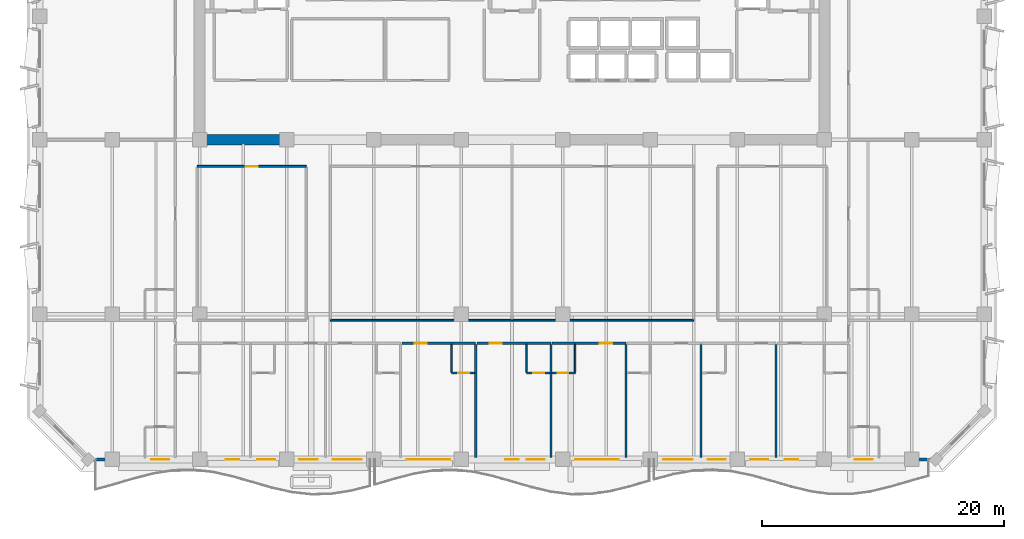
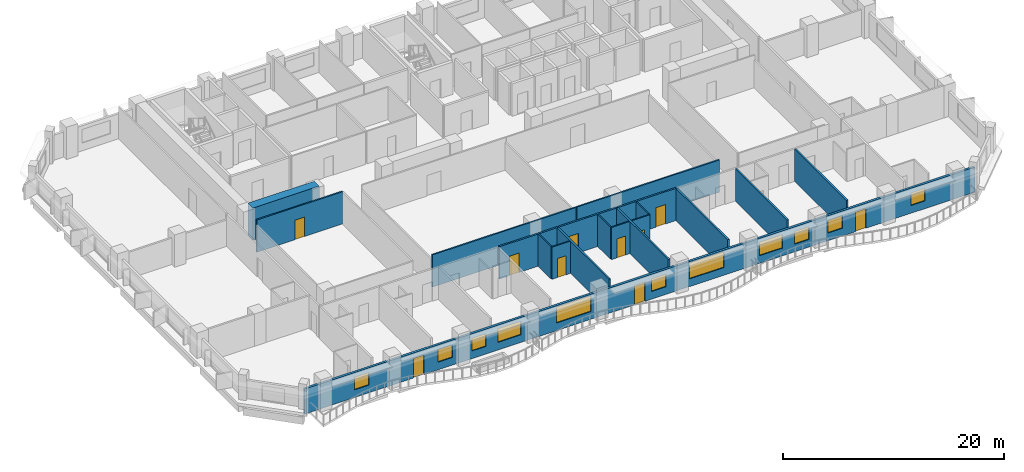
# One storey, part 5 of 15: 19 walls, 11 windows, 10 doors, 21 openings.
"""IFC4 building model written with IfcOpenShell, lengths in metres."""

from ifc_helpers import new_model, si_unit, direction, frame, frame_2d, origin, place, context, subcontext, project, spatial, rectangle, extrude, material, layer, layer_set, type_object, element, fill, save


model = new_model("IFC4")

# Units and contexts
model_context = context("Model", 3, precision=1e-05, world=origin(), true_north=direction((0.0, 1.0)))
body_context = subcontext(model_context, "Body", "Model", "MODEL_VIEW")
ifc_project = project(units=[si_unit("LENGTHUNIT", "METRE"), si_unit("AREAUNIT", "SQUARE_METRE"), si_unit("VOLUMEUNIT", "CUBIC_METRE"), si_unit("PLANEANGLEUNIT", "RADIAN"), si_unit("MASSUNIT", "GRAM", prefix="KILO")], contexts=[model_context])

# Site, building, storey
site_placement = place(None, origin())
site = spatial("IfcSite", under=ifc_project, at=site_placement, CompositionType="ELEMENT")
building_placement = place(site_placement, origin())
building = spatial("IfcBuilding", under=site, at=building_placement, Name="Kaelvorn Grand Hotel", CompositionType="ELEMENT")
storey_placement = place(building_placement, frame((0.0, 0.0, 158.14990234375)))
storey = spatial("IfcBuildingStorey", under=building, at=storey_placement, Name="L38", CompositionType="ELEMENT", Elevation=158.14990234375)

# Wall
ifc_material_1 = material(Name="Concrete C60/75", Category="concrete")
ifc_layer_1 = layer(ifc_material_1, 0.89990234375)
ifc_layer_set_1 = layer_set([ifc_layer_1], Name="Concrete C60/75")
wall_type_1 = type_object("IfcWallType", Name="WL-CORE-900-C60", PredefinedType="SHEAR", material=ifc_layer_set_1)
wall_1_placement = place(storey_placement, frame((16.655029296875, 29.39990234375, 0.0), z_axis=(0.0, 0.0, 1.0), x_axis=(1.0, 0.0, 0.0)))
element("IfcWall", 1, at=wall_1_placement, inside=storey, type_object=wall_type_1, Name="L38 Rear-Core Coupled Shear Pier S1", PredefinedType="SHEAR", context=body_context, shape_type="SweptSolid", body=[
    extrude(rectangle(XDim=6.945068359375, YDim=0.89990234375, at=frame_2d((3.47265625, 0.0))), origin(), (0.0, 0.0, 1.0), 3.56005859375),
])

# Wall, openings, doors, windows
ifc_material_2 = material(Name="Concrete C40/50", Category="concrete")
ifc_layer_2 = layer(ifc_material_2, 0.239990234375)
ifc_layer_set_2 = layer_set([ifc_layer_2], Name="Concrete C40/50")
wall_type_2 = type_object("IfcWallType", Name="WL-EXT-240-C40", PredefinedType="SOLIDWALL", material=ifc_layer_set_2)
wall_2_placement = place(storey_placement, frame((7.0, 3.0, 0.0), z_axis=(0.0, 0.0, 1.0), x_axis=(1.0, 0.0, 0.0)))
wall_2 = element("IfcWall", 2, at=wall_2_placement, inside=storey, type_object=wall_type_2, Name="L38 Exterior Architectural Concrete Wall 01", PredefinedType="SOLIDWALL", context=body_context, shape_type="SweptSolid", body=[
    extrude(rectangle(XDim=70.0, YDim=0.239990234375, at=frame_2d((35.0, 0.0))), origin(), (0.0, 0.0, 1.0), 2.760009765625),
])
opening_1_placement = place(wall_2_placement, frame((11.38330078125, 0.0, 0.0)))
opening_1 = element("IfcOpeningElement", 3, at=opening_1_placement, cuts=wall_2, Name="Opening DE2", PredefinedType="OPENING", context=body_context, shape_type="SweptSolid", body=[
    extrude(rectangle(XDim=1.10009765625, YDim=2.14990234375, at=frame_2d((0.550048828125, 1.074951171875))), frame((0.0, 0.1298828125, 0.0), z_axis=(0.0, -1.0, 0.0), x_axis=(1.0, 0.0, 0.0)), (0.0, 0.0, 1.0), 0.260009765625),
])
opening_2_placement = place(wall_2_placement, frame((34.449951171875, 0.0, 0.0)))
opening_2 = element("IfcOpeningElement", 4, at=opening_2_placement, cuts=wall_2, Name="Opening DE2", PredefinedType="OPENING", context=body_context, shape_type="SweptSolid", body=[
    extrude(rectangle(XDim=1.10009765625, YDim=2.14990234375, at=frame_2d((0.550048828125, 1.074951171875))), frame((0.0, 0.1298828125, 0.0), z_axis=(0.0, -1.0, 0.0), x_axis=(1.0, 0.0, 0.0)), (0.0, 0.0, 1.0), 0.260009765625),
])
opening_3_placement = place(wall_2_placement, frame((57.5166015625, 0.0, 0.0)))
opening_3 = element("IfcOpeningElement", 5, at=opening_3_placement, cuts=wall_2, Name="Opening DE2", PredefinedType="OPENING", context=body_context, shape_type="SweptSolid", body=[
    extrude(rectangle(XDim=1.10009765625, YDim=2.14990234375, at=frame_2d((0.550048828125, 1.074951171875))), frame((0.0, 0.1298828125, 0.0), z_axis=(0.0, -1.0, 0.0), x_axis=(1.0, 0.0, 0.0)), (0.0, 0.0, 1.0), 0.260009765625),
])
opening_4_placement = place(wall_2_placement, frame((5.199951171875, 0.0, 0.85009765625)))
opening_4 = element("IfcOpeningElement", 6, at=opening_4_placement, cuts=wall_2, Name="Opening W10", PredefinedType="OPENING", context=body_context, shape_type="SweptSolid", body=[
    extrude(rectangle(XDim=1.5, YDim=1.39990234375, at=frame_2d((0.75, 0.699951171875))), frame((0.0, 0.1298828125, 0.0), z_axis=(0.0, -1.0, 0.0), x_axis=(1.0, 0.0, 0.0)), (0.0, 0.0, 1.0), 0.260009765625),
])
opening_5_placement = place(wall_2_placement, frame((13.950439453125, 0.0, 0.85009765625)))
opening_5 = element("IfcOpeningElement", 7, at=opening_5_placement, cuts=wall_2, Name="Opening W10", PredefinedType="OPENING", context=body_context, shape_type="SweptSolid", body=[
    extrude(rectangle(XDim=1.5, YDim=1.39990234375, at=frame_2d((0.75, 0.699951171875))), frame((0.0, 0.1298828125, 0.0), z_axis=(0.0, -1.0, 0.0), x_axis=(1.0, 0.0, 0.0)), (0.0, 0.0, 1.0), 0.260009765625),
])
opening_6_placement = place(wall_2_placement, frame((17.451416015625, 0.0, 0.85009765625)))
opening_6 = element("IfcOpeningElement", 8, at=opening_6_placement, cuts=wall_2, Name="Opening W10", PredefinedType="OPENING", context=body_context, shape_type="SweptSolid", body=[
    extrude(rectangle(XDim=1.5, YDim=1.39990234375, at=frame_2d((0.75, 0.699951171875))), frame((0.0, 0.1298828125, 0.0), z_axis=(0.0, -1.0, 0.0), x_axis=(1.0, 0.0, 0.0)), (0.0, 0.0, 1.0), 0.260009765625),
])
opening_7_placement = place(wall_2_placement, frame((20.201416015625, 0.0, 0.85009765625)))
opening_7 = element("IfcOpeningElement", 9, at=opening_7_placement, cuts=wall_2, Name="Opening W6", PredefinedType="OPENING", context=body_context, shape_type="SweptSolid", body=[
    extrude(rectangle(XDim=2.39990234375, YDim=1.5, at=frame_2d((1.199951171875, 0.75))), frame((0.0, 0.1298828125, 0.0), z_axis=(0.0, -1.0, 0.0), x_axis=(1.0, 0.0, 0.0)), (0.0, 0.0, 1.0), 0.260009765625),
])
opening_8_placement = place(wall_2_placement, frame((26.302490234375, 0.0, 0.85009765625)))
opening_8 = element("IfcOpeningElement", 10, at=opening_8_placement, cuts=wall_2, Name="Opening W3", PredefinedType="OPENING", context=body_context, shape_type="SweptSolid", body=[
    extrude(rectangle(XDim=3.60009765625, YDim=1.75, at=frame_2d((1.800048828125, 0.875))), frame((0.0, 0.1298828125, 0.0), z_axis=(0.0, -1.0, 0.0), x_axis=(1.0, 0.0, 0.0)), (0.0, 0.0, 1.0), 0.260009765625),
])
opening_9_placement = place(wall_2_placement, frame((36.214111328125, 0.0, 0.85009765625)))
opening_9 = element("IfcOpeningElement", 11, at=opening_9_placement, cuts=wall_2, Name="Opening W10", PredefinedType="OPENING", context=body_context, shape_type="SweptSolid", body=[
    extrude(rectangle(XDim=1.5, YDim=1.39990234375, at=frame_2d((0.75, 0.699951171875))), frame((0.0, 0.1298828125, 0.0), z_axis=(0.0, -1.0, 0.0), x_axis=(1.0, 0.0, 0.0)), (0.0, 0.0, 1.0), 0.260009765625),
])
opening_10_placement = place(wall_2_placement, frame((40.20458984375, 0.0, 0.85009765625)))
opening_10 = element("IfcOpeningElement", 12, at=opening_10_placement, cuts=wall_2, Name="Opening W3", PredefinedType="OPENING", context=body_context, shape_type="SweptSolid", body=[
    extrude(rectangle(XDim=3.60009765625, YDim=1.75, at=frame_2d((1.800048828125, 0.875))), frame((0.0, 0.1298828125, 0.0), z_axis=(0.0, -1.0, 0.0), x_axis=(1.0, 0.0, 0.0)), (0.0, 0.0, 1.0), 0.260009765625),
])
opening_11_placement = place(wall_2_placement, frame((47.505615234375, 0.0, 0.85009765625)))
opening_11 = element("IfcOpeningElement", 13, at=opening_11_placement, cuts=wall_2, Name="Opening W6", PredefinedType="OPENING", context=body_context, shape_type="SweptSolid", body=[
    extrude(rectangle(XDim=2.39990234375, YDim=1.5, at=frame_2d((1.199951171875, 0.75))), frame((0.0, 0.1298828125, 0.0), z_axis=(0.0, -1.0, 0.0), x_axis=(1.0, 0.0, 0.0)), (0.0, 0.0, 1.0), 0.260009765625),
])
opening_12_placement = place(wall_2_placement, frame((51.155517578125, 0.0, 0.85009765625)))
opening_12 = element("IfcOpeningElement", 14, at=opening_12_placement, cuts=wall_2, Name="Opening W10", PredefinedType="OPENING", context=body_context, shape_type="SweptSolid", body=[
    extrude(rectangle(XDim=1.5, YDim=1.39990234375, at=frame_2d((0.75, 0.699951171875))), frame((0.0, 0.1298828125, 0.0), z_axis=(0.0, -1.0, 0.0), x_axis=(1.0, 0.0, 0.0)), (0.0, 0.0, 1.0), 0.260009765625),
])
opening_13_placement = place(wall_2_placement, frame((54.656005859375, 0.0, 0.85009765625)))
opening_13 = element("IfcOpeningElement", 15, at=opening_13_placement, cuts=wall_2, Name="Opening W10", PredefinedType="OPENING", context=body_context, shape_type="SweptSolid", body=[
    extrude(rectangle(XDim=1.5, YDim=1.39990234375, at=frame_2d((0.75, 0.699951171875))), frame((0.0, 0.1298828125, 0.0), z_axis=(0.0, -1.0, 0.0), x_axis=(1.0, 0.0, 0.0)), (0.0, 0.0, 1.0), 0.260009765625),
])
opening_14_placement = place(wall_2_placement, frame((63.300048828125, 0.0, 0.85009765625)))
opening_14 = element("IfcOpeningElement", 16, at=opening_14_placement, cuts=wall_2, Name="Opening W10", PredefinedType="OPENING", context=body_context, shape_type="SweptSolid", body=[
    extrude(rectangle(XDim=1.5, YDim=1.39990234375, at=frame_2d((0.75, 0.699951171875))), frame((0.0, 0.1298828125, 0.0), z_axis=(0.0, -1.0, 0.0), x_axis=(1.0, 0.0, 0.0)), (0.0, 0.0, 1.0), 0.260009765625),
])
ifc_material_3 = material(Name="Anodised Aluminium", Category="aluminium")
door_type_1 = type_object("IfcDoorType", Name="DR-EXT-BALC-1100x2150", OperationType="NOTDEFINED", PredefinedType="DOOR", material=ifc_material_3)
door_1_placement = place(opening_1_placement, origin())
door_1 = element("IfcDoor", 17, at=door_1_placement, inside=storey, type_object=door_type_1, Name="L38 Scalloped Balcony Glazed Door DE2-1", OperationType="SINGLE_SWING_RIGHT", OverallHeight=2.14990234375, OverallWidth=1.10009765625, PredefinedType="DOOR", context=body_context, shape_type="SweptSolid", body=[
    extrude(rectangle(XDim=1.10009765625, YDim=2.14990234375, at=frame_2d((0.550048828125, 1.074951171875))), frame((0.0, 0.02490234375, 0.0), z_axis=(0.0, -1.0, 0.0), x_axis=(1.0, 0.0, 0.0)), (0.0, 0.0, 1.0), 0.050048828125),
])
fill(opening_1, door_1)
door_2_placement = place(opening_2_placement, origin())
door_2 = element("IfcDoor", 18, at=door_2_placement, inside=storey, type_object=door_type_1, Name="L38 Scalloped Balcony Glazed Door DE2-2", OperationType="SINGLE_SWING_LEFT", OverallHeight=2.14990234375, OverallWidth=1.10009765625, PredefinedType="DOOR", context=body_context, shape_type="SweptSolid", body=[
    extrude(rectangle(XDim=1.10009765625, YDim=2.14990234375, at=frame_2d((0.550048828125, 1.074951171875))), frame((0.0, 0.02490234375, 0.0), z_axis=(0.0, -1.0, 0.0), x_axis=(1.0, 0.0, 0.0)), (0.0, 0.0, 1.0), 0.050048828125),
])
fill(opening_2, door_2)
door_3_placement = place(opening_3_placement, origin())
door_3 = element("IfcDoor", 19, at=door_3_placement, inside=storey, type_object=door_type_1, Name="L38 Scalloped Balcony Glazed Door DE2-3", OperationType="SINGLE_SWING_RIGHT", OverallHeight=2.14990234375, OverallWidth=1.10009765625, PredefinedType="DOOR", context=body_context, shape_type="SweptSolid", body=[
    extrude(rectangle(XDim=1.10009765625, YDim=2.14990234375, at=frame_2d((0.550048828125, 1.074951171875))), frame((0.0, 0.02490234375, 0.0), z_axis=(0.0, -1.0, 0.0), x_axis=(1.0, 0.0, 0.0)), (0.0, 0.0, 1.0), 0.050048828125),
])
fill(opening_3, door_3)
ifc_material_4 = material(Name="Laminated Low-E Glass", Category="glass")
window_type_1 = type_object("IfcWindowType", Name="WIN-COR-1500x1400", PartitioningType="SINGLE_PANEL", PredefinedType="WINDOW", material=ifc_material_4)
window_1_placement = place(opening_4_placement, origin())
window_1 = element("IfcWindow", 20, at=window_1_placement, inside=storey, type_object=window_type_1, Name="L38 South Guestroom Ribbon Window SR01", OverallHeight=1.39990234375, OverallWidth=1.5, PartitioningType="SINGLE_PANEL", PredefinedType="WINDOW", context=body_context, shape_type="SweptSolid", body=[
    extrude(rectangle(XDim=1.5, YDim=1.39990234375, at=frame_2d((0.75, 0.699951171875))), frame((0.0, 0.030029296875, 0.0), z_axis=(0.0, -1.0, 0.0), x_axis=(1.0, 0.0, 0.0)), (0.0, 0.0, 1.0), 0.06005859375),
])
fill(opening_4, window_1)
window_2_placement = place(opening_5_placement, origin())
window_2 = element("IfcWindow", 21, at=window_2_placement, inside=storey, type_object=window_type_1, Name="L38 South Guestroom Ribbon Window SR02", OverallHeight=1.39990234375, OverallWidth=1.5, PartitioningType="SINGLE_PANEL", PredefinedType="WINDOW", context=body_context, shape_type="SweptSolid", body=[
    extrude(rectangle(XDim=1.5, YDim=1.39990234375, at=frame_2d((0.75, 0.699951171875))), frame((0.0, 0.030029296875, 0.0), z_axis=(0.0, -1.0, 0.0), x_axis=(1.0, 0.0, 0.0)), (0.0, 0.0, 1.0), 0.06005859375),
])
fill(opening_5, window_2)
window_3_placement = place(opening_6_placement, origin())
window_3 = element("IfcWindow", 22, at=window_3_placement, inside=storey, type_object=window_type_1, Name="L38 South Guestroom Ribbon Window SR03", OverallHeight=1.39990234375, OverallWidth=1.5, PartitioningType="SINGLE_PANEL", PredefinedType="WINDOW", context=body_context, shape_type="SweptSolid", body=[
    extrude(rectangle(XDim=1.5, YDim=1.39990234375, at=frame_2d((0.75, 0.699951171875))), frame((0.0, 0.030029296875, 0.0), z_axis=(0.0, -1.0, 0.0), x_axis=(1.0, 0.0, 0.0)), (0.0, 0.0, 1.0), 0.06005859375),
])
fill(opening_6, window_3)
window_4_placement = place(opening_9_placement, origin())
window_4 = element("IfcWindow", 23, at=window_4_placement, inside=storey, type_object=window_type_1, Name="L38 South Guestroom Ribbon Window SR06", OverallHeight=1.39990234375, OverallWidth=1.5, PartitioningType="SINGLE_PANEL", PredefinedType="WINDOW", context=body_context, shape_type="SweptSolid", body=[
    extrude(rectangle(XDim=1.5, YDim=1.39990234375, at=frame_2d((0.75, 0.699951171875))), frame((0.0, 0.030029296875, 0.0), z_axis=(0.0, -1.0, 0.0), x_axis=(1.0, 0.0, 0.0)), (0.0, 0.0, 1.0), 0.06005859375),
])
fill(opening_9, window_4)
window_5_placement = place(opening_12_placement, origin())
window_5 = element("IfcWindow", 24, at=window_5_placement, inside=storey, type_object=window_type_1, Name="L38 South Guestroom Ribbon Window SR09", OverallHeight=1.39990234375, OverallWidth=1.5, PartitioningType="SINGLE_PANEL", PredefinedType="WINDOW", context=body_context, shape_type="SweptSolid", body=[
    extrude(rectangle(XDim=1.5, YDim=1.39990234375, at=frame_2d((0.75, 0.699951171875))), frame((0.0, 0.030029296875, 0.0), z_axis=(0.0, -1.0, 0.0), x_axis=(1.0, 0.0, 0.0)), (0.0, 0.0, 1.0), 0.06005859375),
])
fill(opening_12, window_5)
window_6_placement = place(opening_13_placement, origin())
window_6 = element("IfcWindow", 25, at=window_6_placement, inside=storey, type_object=window_type_1, Name="L38 South Guestroom Ribbon Window SR10", OverallHeight=1.39990234375, OverallWidth=1.5, PartitioningType="SINGLE_PANEL", PredefinedType="WINDOW", context=body_context, shape_type="SweptSolid", body=[
    extrude(rectangle(XDim=1.5, YDim=1.39990234375, at=frame_2d((0.75, 0.699951171875))), frame((0.0, 0.030029296875, 0.0), z_axis=(0.0, -1.0, 0.0), x_axis=(1.0, 0.0, 0.0)), (0.0, 0.0, 1.0), 0.06005859375),
])
fill(opening_13, window_6)
window_7_placement = place(opening_14_placement, origin())
window_7 = element("IfcWindow", 26, at=window_7_placement, inside=storey, type_object=window_type_1, Name="L38 South Guestroom Ribbon Window SR11", OverallHeight=1.39990234375, OverallWidth=1.5, PartitioningType="SINGLE_PANEL", PredefinedType="WINDOW", context=body_context, shape_type="SweptSolid", body=[
    extrude(rectangle(XDim=1.5, YDim=1.39990234375, at=frame_2d((0.75, 0.699951171875))), frame((0.0, 0.030029296875, 0.0), z_axis=(0.0, -1.0, 0.0), x_axis=(1.0, 0.0, 0.0)), (0.0, 0.0, 1.0), 0.06005859375),
])
fill(opening_14, window_7)
window_type_2 = type_object("IfcWindowType", Name="WIN-NTH-2400x1500", PartitioningType="SINGLE_PANEL", PredefinedType="WINDOW", material=ifc_material_4)
window_8_placement = place(opening_7_placement, origin())
window_8 = element("IfcWindow", 27, at=window_8_placement, inside=storey, type_object=window_type_2, Name="L38 South Guestroom Ribbon Window SR04", OverallHeight=1.5, OverallWidth=2.39990234375, PartitioningType="SINGLE_PANEL", PredefinedType="WINDOW", context=body_context, shape_type="SweptSolid", body=[
    extrude(rectangle(XDim=2.39990234375, YDim=1.5, at=frame_2d((1.199951171875, 0.75))), frame((0.0, 0.030029296875, 0.0), z_axis=(0.0, -1.0, 0.0), x_axis=(1.0, 0.0, 0.0)), (0.0, 0.0, 1.0), 0.06005859375),
])
fill(opening_7, window_8)
window_9_placement = place(opening_11_placement, origin())
window_9 = element("IfcWindow", 28, at=window_9_placement, inside=storey, type_object=window_type_2, Name="L38 South Guestroom Ribbon Window SR08", OverallHeight=1.5, OverallWidth=2.39990234375, PartitioningType="SINGLE_PANEL", PredefinedType="WINDOW", context=body_context, shape_type="SweptSolid", body=[
    extrude(rectangle(XDim=2.39990234375, YDim=1.5, at=frame_2d((1.199951171875, 0.75))), frame((0.0, 0.030029296875, 0.0), z_axis=(0.0, -1.0, 0.0), x_axis=(1.0, 0.0, 0.0)), (0.0, 0.0, 1.0), 0.06005859375),
])
fill(opening_11, window_9)
window_type_3 = type_object("IfcWindowType", Name="WIN-RIB-3600x1750", PartitioningType="SINGLE_PANEL", PredefinedType="WINDOW", material=ifc_material_4)
window_10_placement = place(opening_8_placement, origin())
window_10 = element("IfcWindow", 29, at=window_10_placement, inside=storey, type_object=window_type_3, Name="L38 South Guestroom Ribbon Window SR05", OverallHeight=1.75, OverallWidth=3.60009765625, PartitioningType="SINGLE_PANEL", PredefinedType="WINDOW", context=body_context, shape_type="SweptSolid", body=[
    extrude(rectangle(XDim=3.60009765625, YDim=1.75, at=frame_2d((1.800048828125, 0.875))), frame((0.0, 0.030029296875, 0.0), z_axis=(0.0, -1.0, 0.0), x_axis=(1.0, 0.0, 0.0)), (0.0, 0.0, 1.0), 0.06005859375),
])
fill(opening_8, window_10)
window_11_placement = place(opening_10_placement, origin())
window_11 = element("IfcWindow", 30, at=window_11_placement, inside=storey, type_object=window_type_3, Name="L38 South Guestroom Ribbon Window SR07", OverallHeight=1.75, OverallWidth=3.60009765625, PartitioningType="SINGLE_PANEL", PredefinedType="WINDOW", context=body_context, shape_type="SweptSolid", body=[
    extrude(rectangle(XDim=3.60009765625, YDim=1.75, at=frame_2d((1.800048828125, 0.875))), frame((0.0, 0.030029296875, 0.0), z_axis=(0.0, -1.0, 0.0), x_axis=(1.0, 0.0, 0.0)), (0.0, 0.0, 1.0), 0.06005859375),
])
fill(opening_10, window_11)

# Wall, opening, door
ifc_material_5 = material(Name="Moisture-Resistant Tile & Stud Board")
ifc_layer_3 = layer(ifc_material_5, 0.125)
ifc_layer_set_3 = layer_set([ifc_layer_3], Name="Moisture-Resistant Tile & Stud Board")
wall_type_3 = type_object("IfcWallType", Name="WL-PART-125-WET", PredefinedType="PARTITIONING", material=ifc_layer_set_3)
wall_3_placement = place(storey_placement, frame((37.006103515625, 10.139892578125, 0.0), z_axis=(0.0, 0.0, 1.0), x_axis=(1.0, 0.0, 0.0)))
wall_3 = element("IfcWall", 31, at=wall_3_placement, inside=storey, type_object=wall_type_3, Name="L38 En-suite Bathroom L38-04 S Partition", PredefinedType="PARTITIONING", context=body_context, shape_type="SweptSolid", body=[
    extrude(rectangle(XDim=1.905029296875, YDim=0.125, at=frame_2d((0.95263671875, 0.0))), origin(), (0.0, 0.0, 1.0), 3.56005859375),
])
opening_15_placement = place(wall_3_placement, frame((0.550048828125, 0.0, 0.0)))
opening_15 = element("IfcOpeningElement", 32, at=opening_15_placement, cuts=wall_3, Name="Opening DI4", PredefinedType="OPENING", context=body_context, shape_type="SweptSolid", body=[
    extrude(rectangle(XDim=0.89990234375, YDim=2.10009765625, at=frame_2d((0.449951171875, 1.050048828125))), frame((0.0, 0.072509765625, 0.0), z_axis=(0.0, -1.0, 0.0), x_axis=(1.0, 0.0, 0.0)), (0.0, 0.0, 1.0), 0.14501953125),
])
ifc_material_6 = material(Name="Timber Veneer Leaf", Category="wood")
door_type_2 = type_object("IfcDoorType", Name="DR-INT-BATH-900x2100", OperationType="NOTDEFINED", PredefinedType="DOOR", material=ifc_material_6)
door_4_placement = place(opening_15_placement, origin())
door_4 = element("IfcDoor", 33, at=door_4_placement, inside=storey, type_object=door_type_2, Name="L38 En-suite Bathroom L38-04 Door", OperationType="SINGLE_SWING_LEFT", OverallHeight=2.10009765625, OverallWidth=0.89990234375, PredefinedType="DOOR", context=body_context, shape_type="SweptSolid", body=[
    extrude(rectangle(XDim=0.89990234375, YDim=2.10009765625, at=frame_2d((0.449951171875, 1.050048828125))), frame((0.0, 0.02490234375, 0.0), z_axis=(0.0, -1.0, 0.0), x_axis=(1.0, 0.0, 0.0)), (0.0, 0.0, 1.0), 0.050048828125),
])
fill(opening_15, door_4)

# Wall
wall_4_placement = place(storey_placement, frame((37.006103515625, 10.20751953125, 0.0), z_axis=(0.0, 0.0, 1.0), x_axis=(0.0, 1.0, 0.0)))
element("IfcWall", 34, at=wall_4_placement, inside=storey, type_object=wall_type_3, Name="L38 En-suite Bathroom L38-04 W Partition", PredefinedType="PARTITIONING", context=body_context, shape_type="SweptSolid", body=[
    extrude(rectangle(XDim=2.29736328125, YDim=0.125, at=frame_2d((1.148681640625, 0.0))), origin(), (0.0, 0.0, 1.0), 3.56005859375),
])

# Wall, opening, door
wall_5_placement = place(storey_placement, frame((43.207763671875, 10.139892578125, 0.0), z_axis=(0.0, 0.0, 1.0), x_axis=(1.0, 0.0, 0.0)))
wall_5 = element("IfcWall", 35, at=wall_5_placement, inside=storey, type_object=wall_type_3, Name="L38 En-suite Bathroom L38-05 S Partition", PredefinedType="PARTITIONING", context=body_context, shape_type="SweptSolid", body=[
    extrude(rectangle(XDim=1.905029296875, YDim=0.125, at=frame_2d((0.95263671875, 0.0))), origin(), (0.0, 0.0, 1.0), 3.56005859375),
])
opening_16_placement = place(wall_5_placement, frame((0.550048828125, 0.0, 0.0)))
opening_16 = element("IfcOpeningElement", 36, at=opening_16_placement, cuts=wall_5, Name="Opening DI4", PredefinedType="OPENING", context=body_context, shape_type="SweptSolid", body=[
    extrude(rectangle(XDim=0.89990234375, YDim=2.10009765625, at=frame_2d((0.449951171875, 1.050048828125))), frame((0.0, 0.072509765625, 0.0), z_axis=(0.0, -1.0, 0.0), x_axis=(1.0, 0.0, 0.0)), (0.0, 0.0, 1.0), 0.14501953125),
])
door_5_placement = place(opening_16_placement, origin())
door_5 = element("IfcDoor", 37, at=door_5_placement, inside=storey, type_object=door_type_2, Name="L38 En-suite Bathroom L38-05 Door", OperationType="SINGLE_SWING_LEFT", OverallHeight=2.10009765625, OverallWidth=0.89990234375, PredefinedType="DOOR", context=body_context, shape_type="SweptSolid", body=[
    extrude(rectangle(XDim=0.89990234375, YDim=2.10009765625, at=frame_2d((0.449951171875, 1.050048828125))), frame((0.0, 0.02490234375, 0.0), z_axis=(0.0, -1.0, 0.0), x_axis=(1.0, 0.0, 0.0)), (0.0, 0.0, 1.0), 0.050048828125),
])
fill(opening_16, door_5)

# Wall
wall_6_placement = place(storey_placement, frame((43.207763671875, 10.20751953125, 0.0), z_axis=(0.0, 0.0, 1.0), x_axis=(0.0, 1.0, 0.0)))
element("IfcWall", 38, at=wall_6_placement, inside=storey, type_object=wall_type_3, Name="L38 En-suite Bathroom L38-05 W Partition", PredefinedType="PARTITIONING", context=body_context, shape_type="SweptSolid", body=[
    extrude(rectangle(XDim=2.29736328125, YDim=0.125, at=frame_2d((1.148681640625, 0.0))), origin(), (0.0, 0.0, 1.0), 3.56005859375),
])

# Wall, opening, door
wall_7_placement = place(storey_placement, frame((45.302734375, 10.139892578125, 0.0), z_axis=(0.0, 0.0, 1.0), x_axis=(1.0, 0.0, 0.0)))
wall_7 = element("IfcWall", 39, at=wall_7_placement, inside=storey, type_object=wall_type_3, Name="L38 En-suite Bathroom L38-06 S Partition", PredefinedType="PARTITIONING", context=body_context, shape_type="SweptSolid", body=[
    extrude(rectangle(XDim=1.905029296875, YDim=0.125, at=frame_2d((0.95263671875, 0.0))), origin(), (0.0, 0.0, 1.0), 3.56005859375),
])
opening_17_placement = place(wall_7_placement, frame((0.455078125, 0.0, 0.0)))
opening_17 = element("IfcOpeningElement", 40, at=opening_17_placement, cuts=wall_7, Name="Opening DI4", PredefinedType="OPENING", context=body_context, shape_type="SweptSolid", body=[
    extrude(rectangle(XDim=0.89990234375, YDim=2.10009765625, at=frame_2d((0.449951171875, 1.050048828125))), frame((0.0, 0.072509765625, 0.0), z_axis=(0.0, -1.0, 0.0), x_axis=(1.0, 0.0, 0.0)), (0.0, 0.0, 1.0), 0.14501953125),
])
door_6_placement = place(opening_17_placement, origin())
door_6 = element("IfcDoor", 41, at=door_6_placement, inside=storey, type_object=door_type_2, Name="L38 En-suite Bathroom L38-06 Door", OperationType="SINGLE_SWING_LEFT", OverallHeight=2.10009765625, OverallWidth=0.89990234375, PredefinedType="DOOR", context=body_context, shape_type="SweptSolid", body=[
    extrude(rectangle(XDim=0.89990234375, YDim=2.10009765625, at=frame_2d((0.449951171875, 1.050048828125))), frame((0.0, 0.02490234375, 0.0), z_axis=(0.0, -1.0, 0.0), x_axis=(1.0, 0.0, 0.0)), (0.0, 0.0, 1.0), 0.050048828125),
])
fill(opening_17, door_6)

# Wall
wall_8_placement = place(storey_placement, frame((47.207763671875, 10.20751953125, 0.0), z_axis=(0.0, 0.0, 1.0), x_axis=(0.0, 1.0, 0.0)))
element("IfcWall", 42, at=wall_8_placement, inside=storey, type_object=wall_type_3, Name="L38 En-suite Bathroom L38-06 E Partition", PredefinedType="PARTITIONING", context=body_context, shape_type="SweptSolid", body=[
    extrude(rectangle(XDim=2.29736328125, YDim=0.125, at=frame_2d((1.148681640625, 0.0))), origin(), (0.0, 0.0, 1.0), 3.56005859375),
])

# Wall, opening, door
ifc_material_7 = material(Name="Acoustic Gypsum & Stud Partition")
ifc_layer_4 = layer(ifc_material_7, 0.14990234375)
ifc_layer_set_4 = layer_set([ifc_layer_4], Name="Acoustic Gypsum & Stud Partition")
wall_type_4 = type_object("IfcWallType", Name="WL-PART-150-EI60", PredefinedType="PARTITIONING", material=ifc_layer_set_4)
wall_9_placement = place(storey_placement, frame((16.0, 27.199951171875, 0.0), z_axis=(0.0, 0.0, 1.0), x_axis=(1.0, 0.0, 0.0)))
wall_9 = element("IfcWall", 43, at=wall_9_placement, inside=storey, type_object=wall_type_4, Name="L38 Reading Library Lounge N Partition", PredefinedType="PARTITIONING", context=body_context, shape_type="SweptSolid", body=[
    extrude(rectangle(XDim=9.0, YDim=0.14990234375, at=frame_2d((4.5, 0.0))), origin(), (0.0, 0.0, 1.0), 3.56005859375),
])
opening_18_placement = place(wall_9_placement, frame((4.0, 0.0, 0.0)))
opening_18 = element("IfcOpeningElement", 44, at=opening_18_placement, cuts=wall_9, Name="Opening DI3", PredefinedType="OPENING", context=body_context, shape_type="SweptSolid", body=[
    extrude(rectangle(XDim=1.0, YDim=2.14990234375, at=frame_2d((0.5, 1.074951171875))), frame((0.0, 0.0849609375, 0.0), z_axis=(0.0, -1.0, 0.0), x_axis=(1.0, 0.0, 0.0)), (0.0, 0.0, 1.0), 0.169921875),
])
ifc_material_8 = material(Name="Timber Veneer Fire Leaf", Category="wood")
door_type_3 = type_object("IfcDoorType", Name="DR-INT-GUEST-1000x2150", OperationType="NOTDEFINED", PredefinedType="DOOR", material=ifc_material_8)
door_7_placement = place(opening_18_placement, origin())
door_7 = element("IfcDoor", 45, at=door_7_placement, inside=storey, type_object=door_type_3, Name="L38 Reading Library Lounge Door", OperationType="SINGLE_SWING_RIGHT", OverallHeight=2.14990234375, OverallWidth=1.0, PredefinedType="DOOR", context=body_context, shape_type="SweptSolid", body=[
    extrude(rectangle(XDim=1.0, YDim=2.14990234375, at=frame_2d((0.5, 1.074951171875))), frame((0.0, 0.02490234375, 0.0), z_axis=(0.0, -1.0, 0.0), x_axis=(1.0, 0.0, 0.0)), (0.0, 0.0, 1.0), 0.050048828125),
])
fill(opening_18, door_7)

# Walls
wall_10_placement = place(storey_placement, frame((27.0, 14.5, 0.0), z_axis=(0.0, 0.0, 1.0), x_axis=(1.0, 0.0, 0.0)))
element("IfcWall", 46, at=wall_10_placement, inside=storey, type_object=wall_type_4, Name="L38 Chef Finishing Kitchen S Partition", PredefinedType="PARTITIONING", context=body_context, shape_type="SweptSolid", body=[
    extrude(rectangle(XDim=15.0, YDim=0.14990234375, at=frame_2d((7.5, 0.0))), origin(), (0.0, 0.0, 1.0), 3.56005859375),
])
wall_11_placement = place(storey_placement, frame((42.080078125, 14.5, 0.0), z_axis=(0.0, 0.0, 1.0), x_axis=(1.0, 0.0, 0.0)))
element("IfcWall", 47, at=wall_11_placement, inside=storey, type_object=wall_type_4, Name="L38 Conference Seminar Room S Partition", PredefinedType="PARTITIONING", context=body_context, shape_type="SweptSolid", body=[
    extrude(rectangle(XDim=14.919921875, YDim=0.14990234375, at=frame_2d((7.4599609375, 0.0))), origin(), (0.0, 0.0, 1.0), 3.56005859375),
])

# Wall, opening, door
ifc_layer_5 = layer(ifc_material_7, 0.179931640625)
ifc_layer_set_5 = layer_set([ifc_layer_5], Name="Acoustic Gypsum & Stud Partition")
wall_type_5 = type_object("IfcWallType", Name="WL-PART-180-EI60", PredefinedType="PARTITIONING", material=ifc_layer_set_5)
wall_12_placement = place(storey_placement, frame((32.899658203125, 12.60009765625, 0.0), z_axis=(0.0, 0.0, 1.0), x_axis=(1.0, 0.0, 0.0)))
wall_12 = element("IfcWall", 48, at=wall_12_placement, inside=storey, type_object=wall_type_5, Name="L38 Superior King Guest Room L38-04 N Partition", PredefinedType="PARTITIONING", context=body_context, shape_type="SweptSolid", body=[
    extrude(rectangle(XDim=6.1064453125, YDim=0.179931640625, at=frame_2d((3.05322265625, 0.0))), origin(), (0.0, 0.0, 1.0), 3.56005859375),
])
opening_19_placement = place(wall_12_placement, frame((1.055908203125, 0.0, 0.0)))
opening_19 = element("IfcOpeningElement", 49, at=opening_19_placement, cuts=wall_12, Name="Opening DI3", PredefinedType="OPENING", context=body_context, shape_type="SweptSolid", body=[
    extrude(rectangle(XDim=1.0, YDim=2.14990234375, at=frame_2d((0.5, 1.074951171875))), frame((0.0, 0.10009765625, 0.0), z_axis=(0.0, -1.0, 0.0), x_axis=(1.0, 0.0, 0.0)), (0.0, 0.0, 1.0), 0.199951171875),
])
door_8_placement = place(opening_19_placement, origin())
door_8 = element("IfcDoor", 50, at=door_8_placement, inside=storey, type_object=door_type_3, Name="L38 Superior King Guest Room L38-04 Door", OperationType="SINGLE_SWING_RIGHT", OverallHeight=2.14990234375, OverallWidth=1.0, PredefinedType="DOOR", context=body_context, shape_type="SweptSolid", body=[
    extrude(rectangle(XDim=1.0, YDim=2.14990234375, at=frame_2d((0.5, 1.074951171875))), frame((0.0, 0.02490234375, 0.0), z_axis=(0.0, -1.0, 0.0), x_axis=(1.0, 0.0, 0.0)), (0.0, 0.0, 1.0), 0.050048828125),
])
fill(opening_19, door_8)

# Wall
wall_13_placement = place(storey_placement, frame((39.006103515625, 3.14990234375, 0.0), z_axis=(0.0, 0.0, 1.0), x_axis=(0.0, 1.0, 0.0)))
element("IfcWall", 51, at=wall_13_placement, inside=storey, type_object=wall_type_5, Name="L38 Superior King Guest Room L38-04 E Partition", PredefinedType="PARTITIONING", context=body_context, shape_type="SweptSolid", body=[
    extrude(rectangle(XDim=9.35498046875, YDim=0.179931640625, at=frame_2d((4.677490234375, 0.0))), origin(), (0.0, 0.0, 1.0), 3.56005859375),
])

# Wall, opening, door
wall_14_placement = place(storey_placement, frame((39.101318359375, 12.60009765625, 0.0), z_axis=(0.0, 0.0, 1.0), x_axis=(1.0, 0.0, 0.0)))
wall_14 = element("IfcWall", 52, at=wall_14_placement, inside=storey, type_object=wall_type_5, Name="L38 Superior King Guest Room L38-05 N Partition", PredefinedType="PARTITIONING", context=body_context, shape_type="SweptSolid", body=[
    extrude(rectangle(XDim=6.1064453125, YDim=0.179931640625, at=frame_2d((3.05322265625, 0.0))), origin(), (0.0, 0.0, 1.0), 3.56005859375),
])
opening_20_placement = place(wall_14_placement, frame((1.055908203125, 0.0, 0.0)))
opening_20 = element("IfcOpeningElement", 53, at=opening_20_placement, cuts=wall_14, Name="Opening DI3", PredefinedType="OPENING", context=body_context, shape_type="SweptSolid", body=[
    extrude(rectangle(XDim=1.0, YDim=2.14990234375, at=frame_2d((0.5, 1.074951171875))), frame((0.0, 0.10009765625, 0.0), z_axis=(0.0, -1.0, 0.0), x_axis=(1.0, 0.0, 0.0)), (0.0, 0.0, 1.0), 0.199951171875),
])
door_9_placement = place(opening_20_placement, origin())
door_9 = element("IfcDoor", 54, at=door_9_placement, inside=storey, type_object=door_type_3, Name="L38 Superior King Guest Room L38-05 Door", OperationType="SINGLE_SWING_RIGHT", OverallHeight=2.14990234375, OverallWidth=1.0, PredefinedType="DOOR", context=body_context, shape_type="SweptSolid", body=[
    extrude(rectangle(XDim=1.0, YDim=2.14990234375, at=frame_2d((0.5, 1.074951171875))), frame((0.0, 0.02490234375, 0.0), z_axis=(0.0, -1.0, 0.0), x_axis=(1.0, 0.0, 0.0)), (0.0, 0.0, 1.0), 0.050048828125),
])
fill(opening_20, door_9)

# Wall
wall_15_placement = place(storey_placement, frame((45.207763671875, 3.14990234375, 0.0), z_axis=(0.0, 0.0, 1.0), x_axis=(0.0, 1.0, 0.0)))
element("IfcWall", 55, at=wall_15_placement, inside=storey, type_object=wall_type_5, Name="L38 Superior King Guest Room L38-05 E Partition", PredefinedType="PARTITIONING", context=body_context, shape_type="SweptSolid", body=[
    extrude(rectangle(XDim=9.35498046875, YDim=0.179931640625, at=frame_2d((4.677490234375, 0.0))), origin(), (0.0, 0.0, 1.0), 3.56005859375),
])

# Wall, opening, door
wall_16_placement = place(storey_placement, frame((45.302734375, 12.60009765625, 0.0), z_axis=(0.0, 0.0, 1.0), x_axis=(1.0, 0.0, 0.0)))
wall_16 = element("IfcWall", 56, at=wall_16_placement, inside=storey, type_object=wall_type_5, Name="L38 Superior King Guest Room L38-06 N Partition", PredefinedType="PARTITIONING", context=body_context, shape_type="SweptSolid", body=[
    extrude(rectangle(XDim=6.1064453125, YDim=0.179931640625, at=frame_2d((3.05322265625, 0.0))), origin(), (0.0, 0.0, 1.0), 3.56005859375),
])
opening_21_placement = place(wall_16_placement, frame((3.955810546875, 0.0, 0.0)))
opening_21 = element("IfcOpeningElement", 57, at=opening_21_placement, cuts=wall_16, Name="Opening DI3", PredefinedType="OPENING", context=body_context, shape_type="SweptSolid", body=[
    extrude(rectangle(XDim=1.0, YDim=2.14990234375, at=frame_2d((0.5, 1.074951171875))), frame((0.0, 0.10009765625, 0.0), z_axis=(0.0, -1.0, 0.0), x_axis=(1.0, 0.0, 0.0)), (0.0, 0.0, 1.0), 0.199951171875),
])
door_10_placement = place(opening_21_placement, origin())
door_10 = element("IfcDoor", 58, at=door_10_placement, inside=storey, type_object=door_type_3, Name="L38 Superior King Guest Room L38-06 Door", OperationType="SINGLE_SWING_RIGHT", OverallHeight=2.14990234375, OverallWidth=1.0, PredefinedType="DOOR", context=body_context, shape_type="SweptSolid", body=[
    extrude(rectangle(XDim=1.0, YDim=2.14990234375, at=frame_2d((0.5, 1.074951171875))), frame((0.0, 0.02490234375, 0.0), z_axis=(0.0, -1.0, 0.0), x_axis=(1.0, 0.0, 0.0)), (0.0, 0.0, 1.0), 0.050048828125),
])
fill(opening_21, door_10)

# Walls
for number, where, z_axis, x_axis, name in (
    (59, (51.4091796875, 3.14990234375, 0.0), (0.0, 0.0, 1.0), (0.0, 1.0, 0.0), "L38 Superior King Guest Room L38-06 E Partition"),
    (60, (57.61083984375, 3.14990234375, 0.0), (0.0, 0.0, 1.0), (0.0, 1.0, 0.0), "L38 Superior King Guest Room L38-07 E Partition"),
    (61, (63.812255859375, 3.14990234375, 0.0), (0.0, 0.0, 1.0), (0.0, 1.0, 0.0), "L38 Superior King Guest Room L38-08 E Partition"),
):
    element("IfcWall", number, at=place(storey_placement, frame(where, z_axis=z_axis, x_axis=x_axis)), inside=storey, type_object=wall_type_5, Name=name, PredefinedType="PARTITIONING", context=body_context, shape_type="SweptSolid", body=[
        extrude(rectangle(XDim=9.35498046875, YDim=0.179931640625, at=frame_2d((4.677490234375, 0.0))), origin(), (0.0, 0.0, 1.0), 3.56005859375),
    ])

save(model, "model.ifc")
